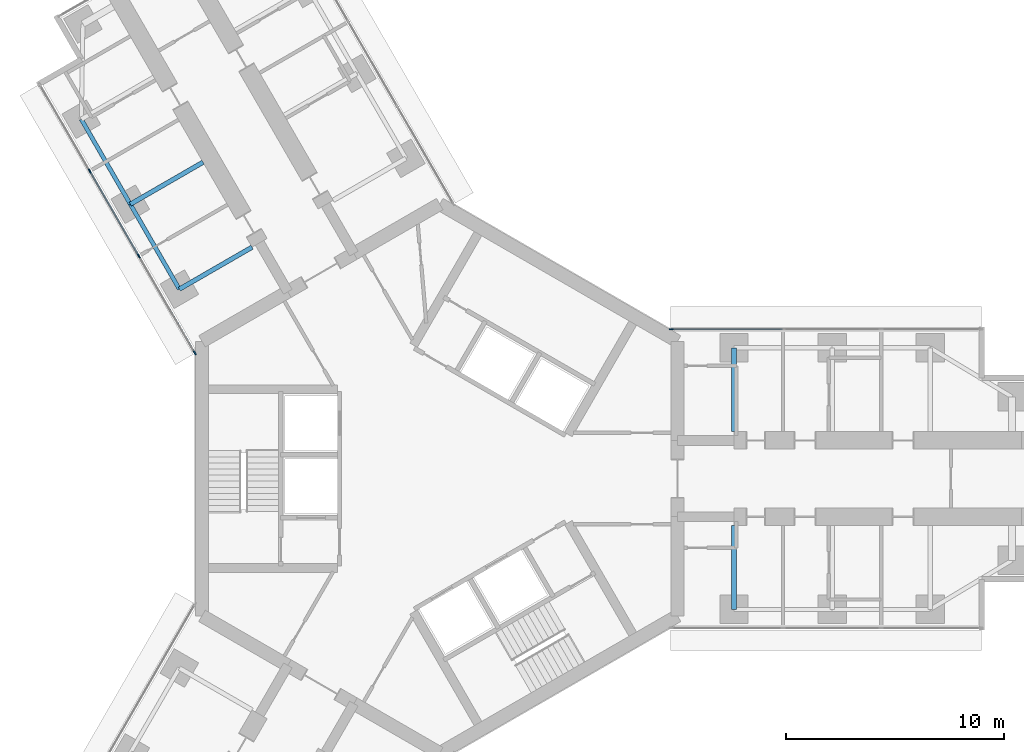
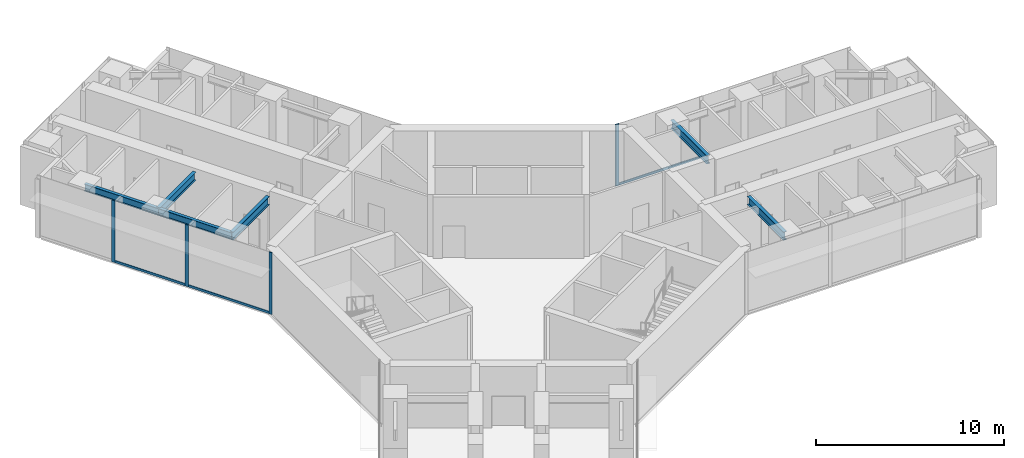
# One storey, part 5 of 22: 7 members, 6 beams, 2 elements without a shape of their own.
"""IFC4 building model written with IfcOpenShell, lengths in metres."""

from ifc_helpers import new_model, si_unit, direction, frame, origin, origin_2d, place, context, subcontext, project, spatial, rectangle, i_section, extrude, material, material_profile, profile_set, type_object, element, aggregate, save


model = new_model("IFC4")

# Units and contexts
model_context = context("Model", 3, precision=1e-05, world=origin(), true_north=direction((0.0, 1.0)))
body_context = subcontext(model_context, "Body", "Model", "MODEL_VIEW")
ifc_project = project(units=[si_unit("LENGTHUNIT", "METRE"), si_unit("AREAUNIT", "SQUARE_METRE"), si_unit("VOLUMEUNIT", "CUBIC_METRE"), si_unit("PLANEANGLEUNIT", "RADIAN"), si_unit("MASSUNIT", "GRAM", prefix="KILO")], contexts=[model_context])

# Site, building, storey
site_placement = place(None, origin())
site = spatial("IfcSite", under=ifc_project, at=site_placement, CompositionType="ELEMENT")
building_placement = place(site_placement, origin())
building = spatial("IfcBuilding", under=site, at=building_placement, Name="Upepo Twin Towers", CompositionType="ELEMENT")
storey_placement = place(building_placement, frame((0.0, 0.0, 133.5)))
storey = spatial("IfcBuildingStorey", under=building, at=storey_placement, Name="L32", CompositionType="ELEMENT", Elevation=133.5)

# Beams
ifc_material_1 = material(Name="Steel S355", Category="steel")
ifc_material_profile_1 = material_profile(ifc_material_1, i_section(OverallWidth=0.1904296875, OverallDepth=0.45703125, WebThickness=0.009033203125, FlangeThickness=0.014404296875, FilletRadius=0.01025390625, at=origin_2d()), Name="UB 457x191x74")
ifc_profile_set_1 = profile_set([ifc_material_profile_1], Name="Steel S355")
beam_type_1 = type_object("IfcBeamType", Name="Beam UB 457x191x74", PredefinedType="BEAM", material=ifc_profile_set_1)
beam_1_placement = place(storey_placement, frame((-11.946044921875, 8.69140625, 3.571533203125), z_axis=(-0.500013631625, 0.866017533419, 0.0), x_axis=(-0.866017533419, -0.500013631625, 0.0)))
element("IfcBeam", 1, at=beam_1_placement, inside=storey, type_object=beam_type_1, Name="T1 edge beam BL 13.5-18.0", PredefinedType="BEAM", context=body_context, shape_type="SweptSolid", body=[
    extrude(i_section(OverallWidth=0.1904296875, OverallDepth=0.45703125, WebThickness=0.009033203125, FlangeThickness=0.014404296875, FilletRadius=0.01025390625, at=origin_2d()), origin(), (0.0, 0.0, 1.0), 4.499755859375),
])
beam_2_placement = place(storey_placement, frame((-14.196044921875, 12.58837890625, 3.571533203125), z_axis=(-0.499990139034, 0.866031096941, 0.0), x_axis=(-0.866031096941, -0.499990139034, 0.0)))
element("IfcBeam", 2, at=beam_2_placement, inside=storey, type_object=beam_type_1, Name="T1 edge beam BL 18.0-22.5", PredefinedType="BEAM", context=body_context, shape_type="SweptSolid", body=[
    extrude(i_section(OverallWidth=0.1904296875, OverallDepth=0.45703125, WebThickness=0.009033203125, FlangeThickness=0.014404296875, FilletRadius=0.01025390625, at=origin_2d()), origin(), (0.0, 0.0, 1.0), 4.5),
])
ifc_material_2 = material(Name="Steel S355", Category="steel")
ifc_material_profile_2 = material_profile(ifc_material_2, i_section(OverallWidth=0.209228515625, OverallDepth=0.533203125, WebThickness=0.010009765625, FlangeThickness=0.015625, FilletRadius=0.0126953125, at=origin_2d()), Name="UB 533x210x92")
ifc_profile_set_2 = profile_set([ifc_material_profile_2], Name="Steel S355")
beam_type_2 = type_object("IfcBeamType", Name="Beam UB 533x210x92", PredefinedType="BEAM", material=ifc_profile_set_2)
for number, where, z_axis, x_axis, name in (
    (3, (13.5, 6.0, 3.533447265625), (0.0, -1.0, 0.0), (1.0, 0.0, 0.0), "T1 girder AL at 13.5"),
    (4, (13.5, -6.0, 3.533447265625), (0.0, 1.0, 0.0), (-1.0, 0.0, 0.0), "T1 girder AR at 13.5"),
):
    element("IfcBeam", number, at=place(storey_placement, frame(where, z_axis=z_axis, x_axis=x_axis)), inside=storey, type_object=beam_type_2, Name=name, PredefinedType="BEAM", context=body_context, shape_type="SweptSolid", body=[
        extrude(i_section(OverallWidth=0.209228515625, OverallDepth=0.533203125, WebThickness=0.010009765625, FlangeThickness=0.015625, FilletRadius=0.0126953125, at=origin_2d()), origin(), (0.0, 0.0, 1.0), 3.85009765625),
    ])
for number, where, z_axis, x_axis, name in (
    (5, (-11.946044921875, 8.69140625, 3.533447265625), (0.866006051527, 0.500033517596, 0.0), (-0.500033517596, 0.866006051527, 0.0), "T1 girder BL at 13.5"),
    (6, (-14.196044921875, 12.58837890625, 3.533447265625), (0.866006051527, 0.500033517596, 0.0), (-0.500033517596, 0.866006051527, 0.0), "T1 girder BL at 18.0"),
):
    element("IfcBeam", number, at=place(storey_placement, frame(where, z_axis=z_axis, x_axis=x_axis)), inside=storey, type_object=beam_type_2, Name=name, PredefinedType="BEAM", context=body_context, shape_type="SweptSolid", body=[
        extrude(i_section(OverallWidth=0.209228515625, OverallDepth=0.533203125, WebThickness=0.010009765625, FlangeThickness=0.015625, FilletRadius=0.0126953125, at=origin_2d()), origin(), (0.0, 0.0, 1.0), 3.849853515625),
    ])

# Curtain wall, member
ifc_material_3 = material(Name="Aluminium and fritted glass", Category="aluminium")
curtain_wall_type = type_object("IfcCurtainWallType", Name="Tower curtain wall TW2, fritted glass", PredefinedType="NOTDEFINED", material=ifc_material_3)
curtain_wall_1_placement = place(storey_placement, origin())
curtain_wall_1 = element("IfcCurtainWall", 7, at=curtain_wall_1_placement, inside=storey, type_object=curtain_wall_type, Name="T1 L32 wing A flank L curtain wall", PredefinedType="NOTDEFINED")
ifc_material_4 = material(Name="Aluminium mullion", Category="aluminium")
ifc_material_profile_3 = material_profile(ifc_material_4, rectangle(XDim=0.06494140625, YDim=0.199951171875, at=origin_2d()), Name="MULLION 65x200")
ifc_profile_set_3 = profile_set([ifc_material_profile_3], Name="Aluminium mullion")
member_type_1 = type_object("IfcMemberType", Name="Mullion 65x200 TW2", PredefinedType="MULLION", material=ifc_profile_set_3)
member_1_placement = place(storey_placement, frame((10.61962890625, 6.85009765625, 0.0), z_axis=(0.0, 0.0, 1.0), x_axis=(0.0, 1.0, 0.0)))
member_1 = element("IfcMember", 8, at=member_1_placement, type_object=member_type_1, Name="T1 L32 wing A flank L curtain wall mullion 1", PredefinedType="MULLION", context=body_context, shape_type="SweptSolid", body=[
    extrude(rectangle(XDim=0.06494140625, YDim=0.199951171875, at=origin_2d()), origin(), (0.0, 0.0, 1.0), 4.0),
])

# Curtain wall, members
curtain_wall_2_placement = place(storey_placement, origin())
curtain_wall_2 = element("IfcCurtainWall", 9, at=curtain_wall_2_placement, inside=storey, type_object=curtain_wall_type, Name="T1 L32 wing B flank L curtain wall", PredefinedType="NOTDEFINED")
member_2_placement = place(storey_placement, frame((-11.2421875, 5.77197265625, 0.0), z_axis=(0.0, 0.0, 1.0), x_axis=(-0.866025397833, -0.500000010308, 0.0)))
member_2 = element("IfcMember", 10, at=member_2_placement, type_object=member_type_1, Name="T1 L32 wing B flank L curtain wall mullion 1", PredefinedType="MULLION", context=body_context, shape_type="SweptSolid", body=[
    extrude(rectangle(XDim=0.06494140625, YDim=0.199951171875, at=origin_2d()), origin(), (0.0, 0.0, 1.0), 4.0),
])
member_3_placement = place(storey_placement, frame((-13.807373046875, 10.21484375, 0.0), z_axis=(0.0, 0.0, 1.0), x_axis=(-0.866025397833, -0.500000010308, 0.0)))
member_3 = element("IfcMember", 11, at=member_3_placement, type_object=member_type_1, Name="T1 L32 wing B flank L curtain wall mullion 2", PredefinedType="MULLION", context=body_context, shape_type="SweptSolid", body=[
    extrude(rectangle(XDim=0.06494140625, YDim=0.199951171875, at=origin_2d()), origin(), (0.0, 0.0, 1.0), 4.0),
])
member_4_placement = place(storey_placement, frame((-16.057373046875, 14.112060546875, 0.0), z_axis=(0.0, 0.0, 1.0), x_axis=(-0.866025397833, -0.500000010308, 0.0)))
member_4 = element("IfcMember", 12, at=member_4_placement, type_object=member_type_1, Name="T1 L32 wing B flank L curtain wall mullion 3", PredefinedType="MULLION", context=body_context, shape_type="SweptSolid", body=[
    extrude(rectangle(XDim=0.06494140625, YDim=0.199951171875, at=origin_2d()), origin(), (0.0, 0.0, 1.0), 4.0),
])

# Member
ifc_material_5 = material(Name="Aluminium transom", Category="aluminium")
ifc_material_profile_4 = material_profile(ifc_material_5, rectangle(XDim=0.06494140625, YDim=0.14990234375, at=origin_2d()), Name="TRANSOM 65x150")
ifc_profile_set_4 = profile_set([ifc_material_profile_4], Name="Aluminium transom")
member_type_2 = type_object("IfcMemberType", Name="Transom 65x150 TW2", PredefinedType="USERDEFINED", material=ifc_profile_set_4)
member_5_placement = place(storey_placement, frame((10.652099609375, 6.85009765625, 0.074951171875), z_axis=(1.0, 0.0, 0.0), x_axis=(0.0, 1.0, 0.0)))
member_5 = element("IfcMember", 13, at=member_5_placement, type_object=member_type_2, Name="T1 L32 wing A flank L curtain wall transom 1", ObjectType="TRANSOM", PredefinedType="USERDEFINED", context=body_context, shape_type="SweptSolid", body=[
    extrude(rectangle(XDim=0.06494140625, YDim=0.14990234375, at=origin_2d()), origin(), (0.0, 0.0, 1.0), 5.0654296875),
])

aggregate(curtain_wall_1, [member_1, member_5])

member_6_placement = place(storey_placement, frame((-11.25830078125, 5.800048828125, 0.074951171875), z_axis=(-0.500006158363, 0.866021848223, 0.0), x_axis=(-0.866021848223, -0.500006158363, 0.0)))
member_6 = element("IfcMember", 14, at=member_6_placement, type_object=member_type_2, Name="T1 L32 wing B flank L curtain wall transom 1", ObjectType="TRANSOM", PredefinedType="USERDEFINED", context=body_context, shape_type="SweptSolid", body=[
    extrude(rectangle(XDim=0.06494140625, YDim=0.14990234375, at=origin_2d()), origin(), (0.0, 0.0, 1.0), 5.0654296875),
])

member_7_placement = place(storey_placement, frame((-13.823486328125, 10.2431640625, 0.074951171875), z_axis=(-0.500005184116, 0.866022410713, 0.0), x_axis=(-0.866022410713, -0.500005184116, 0.0)))
member_7 = element("IfcMember", 15, at=member_7_placement, type_object=member_type_2, Name="T1 L32 wing B flank L curtain wall transom 2", ObjectType="TRANSOM", PredefinedType="USERDEFINED", context=body_context, shape_type="SweptSolid", body=[
    extrude(rectangle(XDim=0.06494140625, YDim=0.14990234375, at=origin_2d()), origin(), (0.0, 0.0, 1.0), 4.43505859375),
])

aggregate(curtain_wall_2, [member_2, member_3, member_4, member_6, member_7])

save(model, "model.ifc")
